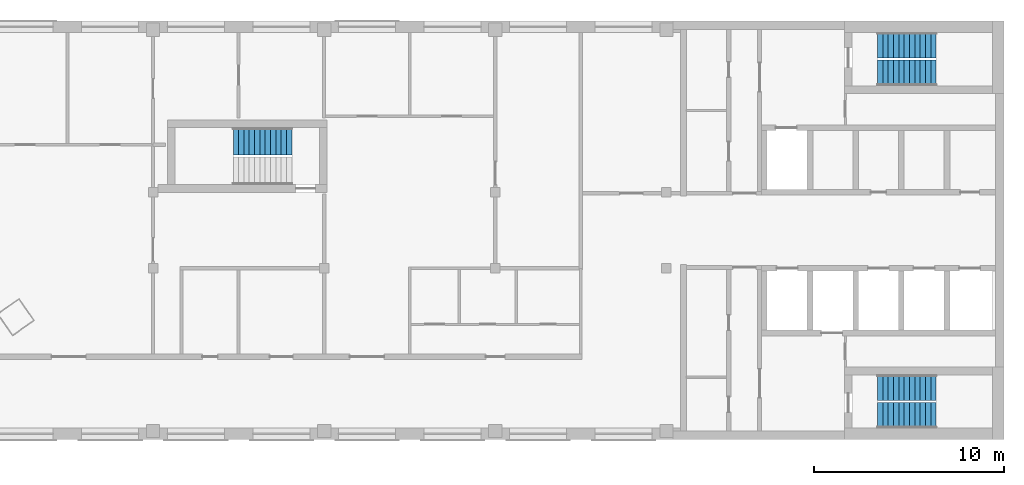
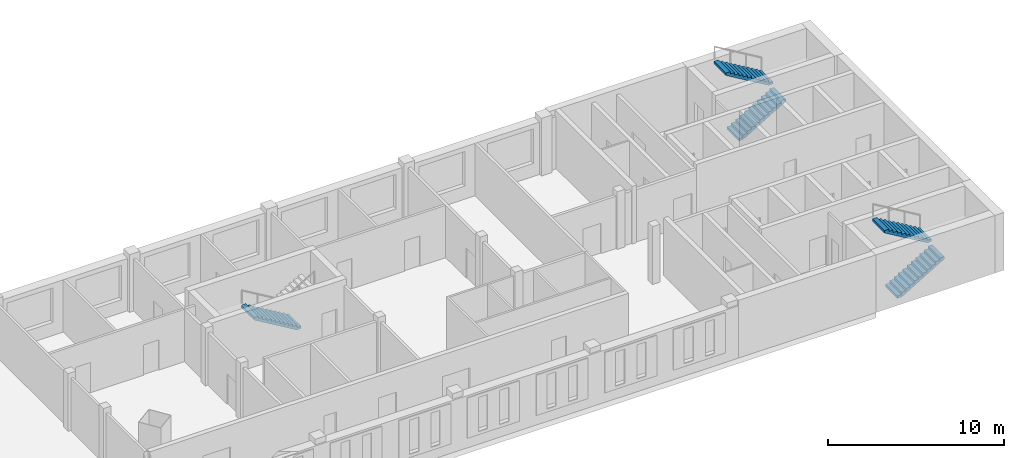
# One storey, part 5 of 6: 5 stair flights, 3 elements without a shape of their own.
"""IFC4 building model written with IfcOpenShell, lengths in metres."""

from ifc_helpers import new_model, si_unit, direction, frame, origin, place, context, subcontext, project, spatial, polyline, outline, extrude, material, type_object, element, aggregate, save


model = new_model("IFC4")

# Units and contexts
model_context = context("Model", 3, precision=1e-05, world=origin(), true_north=direction((0.0, 1.0)))
body_context = subcontext(model_context, "Body", "Model", "MODEL_VIEW")
ifc_project = project(units=[si_unit("LENGTHUNIT", "METRE"), si_unit("AREAUNIT", "SQUARE_METRE"), si_unit("VOLUMEUNIT", "CUBIC_METRE"), si_unit("PLANEANGLEUNIT", "RADIAN"), si_unit("MASSUNIT", "GRAM", prefix="KILO")], contexts=[model_context])

# Site, building, storey
site_placement = place(None, origin())
site = spatial("IfcSite", under=ifc_project, at=site_placement, CompositionType="ELEMENT")
building_placement = place(site_placement, origin())
building = spatial("IfcBuilding", under=site, at=building_placement, Name="Skarvind Civic Tower", CompositionType="ELEMENT")
storey_placement = place(building_placement, frame((0.0, 0.0, 249.5)))
storey = spatial("IfcBuildingStorey", under=building, at=storey_placement, Name="L59", CompositionType="ELEMENT", Elevation=249.5)

# Stair, stair flight
ifc_material = material(Name="Concrete C40/50", Category="concrete")
stair_type_1 = type_object("IfcStairType", Name="Exit stair 1450, half-turn, concrete", PredefinedType="HALF_TURN_STAIR", material=ifc_material)
stair_1_placement = place(storey_placement, origin())
stair_1 = element("IfcStair", 1, at=stair_1_placement, inside=storey, type_object=stair_type_1, Name="Exit stair CM", PredefinedType="HALF_TURN_STAIR")
stair_flight_type_1 = type_object("IfcStairFlightType", Name="Stair flight 1450, concrete", PredefinedType="STRAIGHT", material=ifc_material)
stair_flight_1_placement = place(storey_placement, frame((70.550048828125, 132.675048828125, 0.0), z_axis=(0.0, 0.0, 1.0), x_axis=(-1.0, 0.0, 0.0)))
stair_flight_1 = element("IfcStairFlight", 2, at=stair_flight_1_placement, type_object=stair_flight_type_1, Name="ST-CM flight 1", NumberOfRisers=12, NumberOfTreads=11, PredefinedType="STRAIGHT", RiserHeight=0.166666667, TreadLength=0.28, context=body_context, shape_type="SweptSolid", body=[
    extrude(outline(polyline([(0.0, 0.0), (0.0, 0.166748046875), (0.280029296875, 0.166748046875), (0.280029296875, 0.333251953125), (0.56005859375, 0.333251953125), (0.56005859375, 0.5), (0.840087890625, 0.5), (0.840087890625, 0.666748046875), (1.1201171875, 0.666748046875), (1.1201171875, 0.833251953125), (1.39990234375, 0.833251953125), (1.39990234375, 1.0), (1.679931640625, 1.0), (1.679931640625, 1.166748046875), (1.9599609375, 1.166748046875), (1.9599609375, 1.333251953125), (2.239990234375, 1.333251953125), (2.239990234375, 1.5), (2.52001953125, 1.5), (2.52001953125, 1.666748046875), (2.800048828125, 1.666748046875), (2.800048828125, 1.833251953125), (3.080078125, 1.833251953125), (3.080078125, 2.0), (3.080078125, 1.658935546875), (0.29296875, 0.0), (0.0, 0.0)])), frame((0.0, 0.72509765625, 0.0), z_axis=(0.0, -1.0, 0.0), x_axis=(1.0, 0.0, 0.0)), (0.0, 0.0, 1.0), 1.449951171875),
])
aggregate(stair_1, [stair_flight_1])

# Stair, stair flights
stair_type_2 = type_object("IfcStairType", Name="Exit stair, half-turn, concrete", PredefinedType="HALF_TURN_STAIR", material=ifc_material)
stair_2_placement = place(storey_placement, origin())
stair_2 = element("IfcStair", 3, at=stair_2_placement, inside=storey, type_object=stair_type_2, Name="Exit stair C1S", PredefinedType="HALF_TURN_STAIR")
stair_flight_type_2 = type_object("IfcStairFlightType", Name="Stair flight, concrete", PredefinedType="STRAIGHT", material=ifc_material)
stair_flight_2_placement = place(storey_placement, frame((101.35009765625, 136.27490234375, 0.0), z_axis=(0.0, 0.0, 1.0), x_axis=(1.0, 0.0, 0.0)))
stair_flight_2 = element("IfcStairFlight", 4, at=stair_flight_2_placement, type_object=stair_flight_type_2, Name="ST-C1S flight 1", NumberOfRisers=12, NumberOfTreads=11, PredefinedType="STRAIGHT", RiserHeight=0.166666667, TreadLength=0.28, context=body_context, shape_type="SweptSolid", body=[
    extrude(outline(polyline([(0.0, 0.0), (0.0, 0.166748046875), (0.280029296875, 0.166748046875), (0.280029296875, 0.333251953125), (0.56005859375, 0.333251953125), (0.56005859375, 0.5), (0.840087890625, 0.5), (0.840087890625, 0.666748046875), (1.1201171875, 0.666748046875), (1.1201171875, 0.833251953125), (1.39990234375, 0.833251953125), (1.39990234375, 1.0), (1.679931640625, 1.0), (1.679931640625, 1.166748046875), (1.9599609375, 1.166748046875), (1.9599609375, 1.333251953125), (2.239990234375, 1.333251953125), (2.239990234375, 1.5), (2.52001953125, 1.5), (2.52001953125, 1.666748046875), (2.800048828125, 1.666748046875), (2.800048828125, 1.833251953125), (3.080078125, 1.833251953125), (3.080078125, 2.0), (3.080078125, 1.658935546875), (0.29296875, 0.0), (0.0, 0.0)])), frame((0.0, 0.675048828125, 0.0), z_axis=(0.0, -1.0, 0.0), x_axis=(1.0, 0.0, 0.0)), (0.0, 0.0, 1.0), 1.35009765625),
])
stair_flight_3_placement = place(storey_placement, frame((104.429931640625, 137.72509765625, 2.0), z_axis=(0.0, 0.0, 1.0), x_axis=(-1.0, 0.0, 0.0)))
stair_flight_3 = element("IfcStairFlight", 5, at=stair_flight_3_placement, type_object=stair_flight_type_2, Name="ST-C1S flight 2", NumberOfRisers=12, NumberOfTreads=11, PredefinedType="STRAIGHT", RiserHeight=0.166666667, TreadLength=0.28, context=body_context, shape_type="SweptSolid", body=[
    extrude(outline(polyline([(0.0, 0.0), (0.0, 0.166748046875), (0.280029296875, 0.166748046875), (0.280029296875, 0.333251953125), (0.56005859375, 0.333251953125), (0.56005859375, 0.5), (0.840087890625, 0.5), (0.840087890625, 0.666748046875), (1.1201171875, 0.666748046875), (1.1201171875, 0.833251953125), (1.39990234375, 0.833251953125), (1.39990234375, 1.0), (1.679931640625, 1.0), (1.679931640625, 1.166748046875), (1.9599609375, 1.166748046875), (1.9599609375, 1.333251953125), (2.239990234375, 1.333251953125), (2.239990234375, 1.5), (2.52001953125, 1.5), (2.52001953125, 1.666748046875), (2.800048828125, 1.666748046875), (2.800048828125, 1.833251953125), (3.080078125, 1.833251953125), (3.080078125, 2.0), (3.080078125, 1.658935546875), (0.29296875, 0.0), (0.0, 0.0)])), frame((0.0, 0.675048828125, 0.0), z_axis=(0.0, -1.0, 0.0), x_axis=(1.0, 0.0, 0.0)), (0.0, 0.0, 1.0), 1.35009765625),
])
aggregate(stair_2, [stair_flight_2, stair_flight_3])

stair_3_placement = place(storey_placement, origin())
stair_3 = element("IfcStair", 6, at=stair_3_placement, inside=storey, type_object=stair_type_2, Name="Exit stair C1N", PredefinedType="HALF_TURN_STAIR")
stair_flight_4_placement = place(storey_placement, frame((101.35009765625, 118.27490234375, 0.0), z_axis=(0.0, 0.0, 1.0), x_axis=(1.0, 0.0, 0.0)))
stair_flight_4 = element("IfcStairFlight", 7, at=stair_flight_4_placement, type_object=stair_flight_type_2, Name="ST-C1N flight 1", NumberOfRisers=12, NumberOfTreads=11, PredefinedType="STRAIGHT", RiserHeight=0.166666667, TreadLength=0.28, context=body_context, shape_type="SweptSolid", body=[
    extrude(outline(polyline([(0.0, 0.0), (0.0, 0.166748046875), (0.280029296875, 0.166748046875), (0.280029296875, 0.333251953125), (0.56005859375, 0.333251953125), (0.56005859375, 0.5), (0.840087890625, 0.5), (0.840087890625, 0.666748046875), (1.1201171875, 0.666748046875), (1.1201171875, 0.833251953125), (1.39990234375, 0.833251953125), (1.39990234375, 1.0), (1.679931640625, 1.0), (1.679931640625, 1.166748046875), (1.9599609375, 1.166748046875), (1.9599609375, 1.333251953125), (2.239990234375, 1.333251953125), (2.239990234375, 1.5), (2.52001953125, 1.5), (2.52001953125, 1.666748046875), (2.800048828125, 1.666748046875), (2.800048828125, 1.833251953125), (3.080078125, 1.833251953125), (3.080078125, 2.0), (3.080078125, 1.658935546875), (0.29296875, 0.0), (0.0, 0.0)])), frame((0.0, 0.675048828125, 0.0), z_axis=(0.0, -1.0, 0.0), x_axis=(1.0, 0.0, 0.0)), (0.0, 0.0, 1.0), 1.35009765625),
])
stair_flight_5_placement = place(storey_placement, frame((104.429931640625, 119.72509765625, 2.0), z_axis=(0.0, 0.0, 1.0), x_axis=(-1.0, 0.0, 0.0)))
stair_flight_5 = element("IfcStairFlight", 8, at=stair_flight_5_placement, type_object=stair_flight_type_2, Name="ST-C1N flight 2", NumberOfRisers=12, NumberOfTreads=11, PredefinedType="STRAIGHT", RiserHeight=0.166666667, TreadLength=0.28, context=body_context, shape_type="SweptSolid", body=[
    extrude(outline(polyline([(0.0, 0.0), (0.0, 0.166748046875), (0.280029296875, 0.166748046875), (0.280029296875, 0.333251953125), (0.56005859375, 0.333251953125), (0.56005859375, 0.5), (0.840087890625, 0.5), (0.840087890625, 0.666748046875), (1.1201171875, 0.666748046875), (1.1201171875, 0.833251953125), (1.39990234375, 0.833251953125), (1.39990234375, 1.0), (1.679931640625, 1.0), (1.679931640625, 1.166748046875), (1.9599609375, 1.166748046875), (1.9599609375, 1.333251953125), (2.239990234375, 1.333251953125), (2.239990234375, 1.5), (2.52001953125, 1.5), (2.52001953125, 1.666748046875), (2.800048828125, 1.666748046875), (2.800048828125, 1.833251953125), (3.080078125, 1.833251953125), (3.080078125, 2.0), (3.080078125, 1.658935546875), (0.29296875, 0.0), (0.0, 0.0)])), frame((0.0, 0.675048828125, 0.0), z_axis=(0.0, -1.0, 0.0), x_axis=(1.0, 0.0, 0.0)), (0.0, 0.0, 1.0), 1.35009765625),
])
aggregate(stair_3, [stair_flight_4, stair_flight_5])

save(model, "model.ifc")
